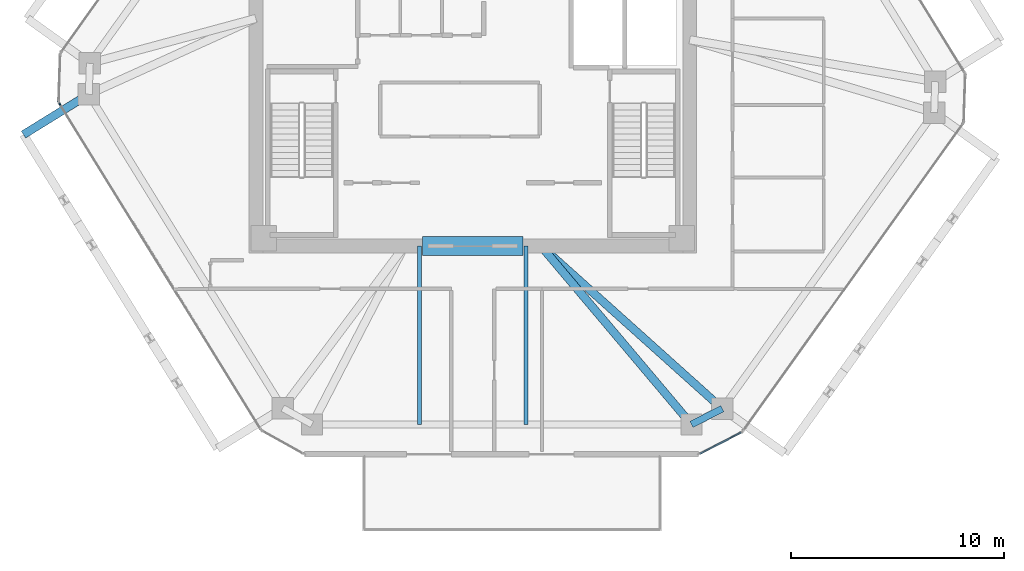
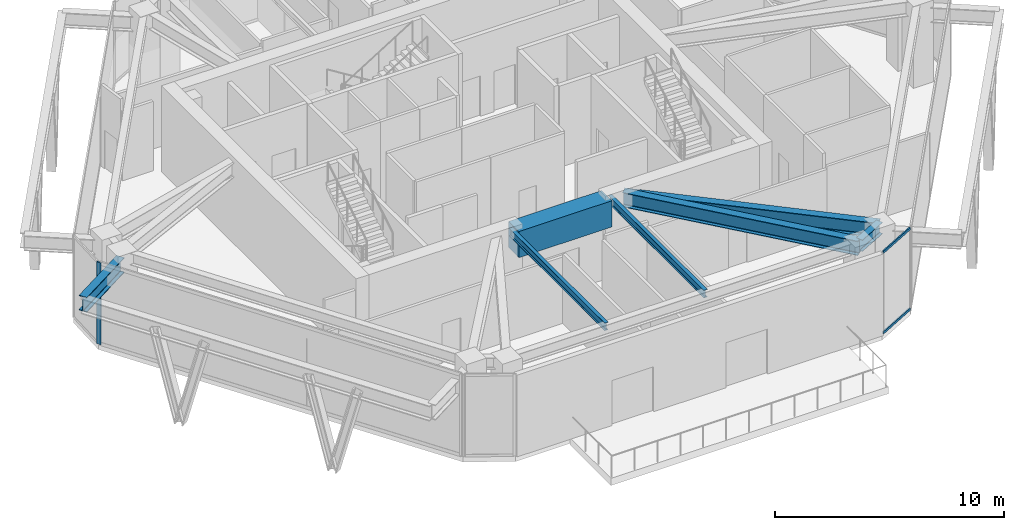
# One storey, part 3 of 12: 7 beams, 3 members, 2 elements without a shape of their own.
"""IFC4 building model written with IfcOpenShell, lengths in metres."""

from ifc_helpers import new_model, si_unit, direction, frame, origin, origin_2d, place, context, subcontext, project, spatial, rectangle, i_section, extrude, source, transform, mapped, material, layer, layer_set, material_profile, profile_set, type_object, type_shapes, element, aggregate, save


model = new_model("IFC4")

# Units and contexts
model_context = context("Model", 3, precision=1e-05, world=origin(), true_north=direction((0.0, 1.0)))
body_context = subcontext(model_context, "Body", "Model", "MODEL_VIEW")
ifc_project = project(units=[si_unit("LENGTHUNIT", "METRE"), si_unit("AREAUNIT", "SQUARE_METRE"), si_unit("VOLUMEUNIT", "CUBIC_METRE"), si_unit("PLANEANGLEUNIT", "RADIAN"), si_unit("MASSUNIT", "GRAM", prefix="KILO")], contexts=[model_context])

# Site, building, storey
site_placement = place(None, origin())
site = spatial("IfcSite", under=ifc_project, at=site_placement, CompositionType="ELEMENT")
building_placement = place(site_placement, origin())
building = spatial("IfcBuilding", under=site, at=building_placement, Name="Durnholm Broadcast Tower", CompositionType="ELEMENT")
storey_placement = place(building_placement, frame((0.0, 0.0, 162.60009765625)))
storey = spatial("IfcBuildingStorey", under=building, at=storey_placement, Name="L44", CompositionType="ELEMENT", Elevation=162.60009765625)

# Beams
ifc_material_1 = material(Name="Concrete C70/85", Category="concrete")
ifc_material_profile_1 = material_profile(ifc_material_1, rectangle(XDim=0.89990234375, YDim=1.39990234375, at=origin_2d()), Name="RC900X1400")
ifc_profile_set_1 = profile_set([ifc_material_profile_1], Name="Concrete C70/85")
beam_type_1 = type_object("IfcBeamType", Name="BM-CB-RC1400", PredefinedType="LINTEL", material=ifc_profile_set_1)
shared_shape_1 = source(origin(), body_context, "Body", "SweptSolid", [
    extrude(rectangle(XDim=0.89990234375, YDim=1.39990234375, at=origin_2d()), origin(), (0.0, 0.0, 1.0), 4.7001953125),
])
type_shapes(beam_type_1, [shared_shape_1])
beam_1_placement = place(storey_placement, frame((-2.35009765625, -8.175048828125, 3.65478515625), z_axis=(1.0, 0.0, 0.0), x_axis=(0.0, 1.0, 0.0)))
element("IfcBeam", 1, at=beam_1_placement, inside=storey, type_object=beam_type_1, Name="L44 south core coupling lintel beam CB-S", PredefinedType="LINTEL", context=body_context, shape_type="MappedRepresentation", body=[
    mapped(shared_shape_1, transform((0.0, 0.0, 0.0), x_axis=(1.0, 0.0, 0.0), y_axis=(0.0, 1.0, 0.0), z_axis=(0.0, 0.0, 1.0), scale=1.0)),
])
ifc_material_2 = material(Name="Steel ASTM A992 Grade 50", Category="steel")
ifc_material_profile_2 = material_profile(ifc_material_2, i_section(OverallWidth=0.385009765625, OverallDepth=0.802978515625, WebThickness=0.023681640625, FlangeThickness=0.0419921875, FilletRadius=0.032958984375, at=origin_2d()), Name="W30X261")
ifc_profile_set_2 = profile_set([ifc_material_profile_2], Name="Steel ASTM A992 Grade 50")
beam_type_2 = type_object("IfcBeamType", Name="BM-EXO-TIE", PredefinedType="USERDEFINED", material=ifc_profile_set_2)
shared_shape_2 = source(origin(), body_context, "Body", "SweptSolid", [
    extrude(i_section(OverallWidth=0.385009765625, OverallDepth=0.802978515625, WebThickness=0.023681640625, FlangeThickness=0.0419921875, FilletRadius=0.032958984375, at=origin_2d()), origin(), (0.0, 0.0, 1.0), 3.4560546875),
])
type_shapes(beam_type_2, [shared_shape_2])
beam_2_placement = place(storey_placement, frame((-18.131591796875, -1.13232421875, 3.6083984375), z_axis=(-0.850662348375, -0.525712439512, 0.0), x_axis=(0.525712439512, -0.850662348375, 0.0)))
element("IfcBeam", 2, at=beam_2_placement, inside=storey, type_object=beam_type_2, Name="L44 exoskeleton stand-off tie bracket F6.1", ObjectType="GIRDER", PredefinedType="USERDEFINED", context=body_context, shape_type="MappedRepresentation", body=[
    mapped(shared_shape_2, transform((0.0, 0.0, 0.0), x_axis=(1.0, 0.0, 0.0), y_axis=(0.0, 1.0, 0.0), z_axis=(0.0, 0.0, 1.0), scale=1.0)),
])
ifc_material_profile_3 = material_profile(ifc_material_2, i_section(OverallWidth=0.3251953125, OverallDepth=0.6162109375, WebThickness=0.013916015625, FlangeThickness=0.021484375, FilletRadius=0.02783203125, at=origin_2d()), Name="W24X117")
ifc_profile_set_3 = profile_set([ifc_material_profile_3], Name="Steel ASTM A992 Grade 50")
beam_type_3 = type_object("IfcBeamType", Name="STL-SP-W24X117", PredefinedType="SPANDREL", material=ifc_profile_set_3)
shared_shape_3 = source(origin(), body_context, "Body", "SweptSolid", [
    extrude(i_section(OverallWidth=0.3251953125, OverallDepth=0.6162109375, WebThickness=0.013916015625, FlangeThickness=0.021484375, FilletRadius=0.02783203125, at=origin_2d()), origin(), (0.0, 0.0, 1.0), 1.62255859375),
])
type_shapes(beam_type_3, [shared_shape_3])
beam_3_placement = place(storey_placement, frame((11.69970703125, -15.80029296875, 4.036865234375), z_axis=(-0.889406668864, -0.45711680934, 0.0), x_axis=(0.45711680934, -0.889406668864, 0.0)))
element("IfcBeam", 3, at=beam_3_placement, inside=storey, type_object=beam_type_3, Name="L44 perimeter spandrel girder 10", PredefinedType="SPANDREL", context=body_context, shape_type="MappedRepresentation", body=[
    mapped(shared_shape_3, transform((0.0, 0.0, 0.0), x_axis=(1.0, 0.0, 0.0), y_axis=(0.0, 1.0, 0.0), z_axis=(0.0, 0.0, 1.0), scale=1.0)),
])
ifc_material_profile_4 = material_profile(ifc_material_2, i_section(OverallWidth=0.380615234375, OverallDepth=0.773193359375, WebThickness=0.0166015625, FlangeThickness=0.027099609375, FilletRadius=0.032958984375, at=origin_2d()), Name="W30X173")
ifc_profile_set_4 = profile_set([ifc_material_profile_4], Name="Steel ASTM A992 Grade 50")
beam_type_4 = type_object("IfcBeamType", Name="STL-GR-W30X173", PredefinedType="USERDEFINED", material=ifc_profile_set_4)
shared_shape_4 = source(origin(), body_context, "Body", "SweptSolid", [
    extrude(i_section(OverallWidth=0.380615234375, OverallDepth=0.773193359375, WebThickness=0.0166015625, FlangeThickness=0.027099609375, FilletRadius=0.032958984375, at=origin_2d()), origin(), (0.0, 0.0, 1.0), 11.4189453125),
])
beam_4_placement = place(storey_placement, frame((3.199951171875, -8.175048828125, 3.958251953125), z_axis=(0.744361631918, -0.667776729849, 0.0), x_axis=(0.667776729849, 0.744361631918, 0.0)))
element("IfcBeam", 4, at=beam_4_placement, inside=storey, type_object=beam_type_4, Name="L44 radial primary floor girder 10", ObjectType="GIRDER", PredefinedType="USERDEFINED", context=body_context, shape_type="MappedRepresentation", body=[
    mapped(shared_shape_4, transform((0.0, 0.0, 0.0), x_axis=(1.0, 0.0, 0.0), y_axis=(0.0, 1.0, 0.0), z_axis=(0.0, 0.0, 1.0), scale=1.0)),
])
shared_shape_5 = source(origin(), body_context, "Body", "SweptSolid", [
    extrude(i_section(OverallWidth=0.380615234375, OverallDepth=0.773193359375, WebThickness=0.0166015625, FlangeThickness=0.027099609375, FilletRadius=0.032958984375, at=origin_2d()), origin(), (0.0, 0.0, 1.0), 10.9453125),
])
type_shapes(beam_type_4, [shared_shape_4, shared_shape_5])
beam_5_placement = place(storey_placement, frame((3.199951171875, -8.175048828125, 3.958251953125), z_axis=(0.644712536066, -0.764425108065, 0.0), x_axis=(0.764425108065, 0.644712536066, 0.0)))
element("IfcBeam", 5, at=beam_5_placement, inside=storey, type_object=beam_type_4, Name="L44 radial primary floor girder 11", ObjectType="GIRDER", PredefinedType="USERDEFINED", context=body_context, shape_type="MappedRepresentation", body=[
    mapped(shared_shape_5, transform((0.0, 0.0, 0.0), x_axis=(1.0, 0.0, 0.0), y_axis=(0.0, 1.0, 0.0), z_axis=(0.0, 0.0, 1.0), scale=1.0)),
])
ifc_material_profile_5 = material_profile(ifc_material_2, i_section(OverallWidth=0.177734375, OverallDepth=0.40673828125, WebThickness=0.0078125, FlangeThickness=0.0126953125, FilletRadius=0.01904296875, at=origin_2d()), Name="W16X40")
ifc_profile_set_5 = profile_set([ifc_material_profile_5], Name="Steel ASTM A992 Grade 50")
beam_type_5 = type_object("IfcBeamType", Name="STL-BJ-W16X40", PredefinedType="JOIST", material=ifc_profile_set_5)
shared_shape_6 = source(origin(), body_context, "Body", "SweptSolid", [
    extrude(i_section(OverallWidth=0.177734375, OverallDepth=0.40673828125, WebThickness=0.0078125, FlangeThickness=0.0126953125, FilletRadius=0.01904296875, at=origin_2d()), origin(), (0.0, 0.0, 1.0), 8.366943359375),
])
type_shapes(beam_type_5, [shared_shape_6])
for number, where, z_axis, x_axis, name in (
    (6, (-2.5, -16.5419921875, 4.1416015625), (0.0, 1.0, 0.0), (-1.0, 0.0, 0.0), "L44 secondary floor joist 5.1"),
    (7, (2.5, -16.5419921875, 4.1416015625), (0.0, 1.0, 0.0), (-1.0, 0.0, 0.0), "L44 secondary floor joist 6.1"),
):
    element("IfcBeam", number, at=place(storey_placement, frame(where, z_axis=z_axis, x_axis=x_axis)), inside=storey, type_object=beam_type_5, Name=name, PredefinedType="JOIST", context=body_context, shape_type="MappedRepresentation", body=[
        mapped(shared_shape_6, transform((0.0, 0.0, 0.0), x_axis=(1.0, 0.0, 0.0), y_axis=(0.0, 1.0, 0.0), z_axis=(0.0, 0.0, 1.0), scale=1.0)),
    ])

# Curtain wall, members
ifc_material_3 = material(Name="Aluminium and Solar Control IGU", Category="aluminium")
ifc_layer_1 = layer(ifc_material_3, 0.1650390625)
ifc_layer_set_1 = layer_set([ifc_layer_1], Name="Aluminium and Solar Control IGU")
curtain_wall_type_1 = type_object("IfcCurtainWallType", Name="CW-SYS-5", PredefinedType="NOTDEFINED", material=ifc_layer_set_1)
curtain_wall_1_placement = place(storey_placement, origin())
curtain_wall_1 = element("IfcCurtainWall", 8, at=curtain_wall_1_placement, inside=storey, type_object=curtain_wall_type_1, Name="L44 curtain wall CW-CORNER CW-L44-CRN-09", PredefinedType="NOTDEFINED")
ifc_material_4 = material(Name="Aluminium 6063-T6", Category="aluminium")
ifc_material_profile_6 = material_profile(ifc_material_4, rectangle(XDim=0.06494140625, YDim=0.1298828125, at=origin_2d()), Name="CWT65X130")
ifc_profile_set_6 = profile_set([ifc_material_profile_6], Name="Aluminium 6063-T6")
member_type_1 = type_object("IfcMemberType", Name="CW-SYS-5-TRN", PredefinedType="USERDEFINED", material=ifc_profile_set_6)
shared_shape_7 = source(origin(), body_context, "Body", "SweptSolid", [
    extrude(rectangle(XDim=0.06494140625, YDim=0.1298828125, at=origin_2d()), origin(), (0.0, 0.0, 1.0), 2.170166015625),
])
type_shapes(member_type_1, [shared_shape_7])
member_1_placement = place(storey_placement, frame((12.583251953125, -16.92041015625, 0.032470703125), z_axis=(-0.889422414772, -0.457086171417, 0.0), x_axis=(0.457086171417, -0.889422414772, 0.0)))
member_1 = element("IfcMember", 9, at=member_1_placement, type_object=member_type_1, Name="CW-CORNER transom 1.1", ObjectType="TRANSOM", PredefinedType="USERDEFINED", context=body_context, shape_type="MappedRepresentation", body=[
    mapped(shared_shape_7, transform((0.0, 0.0, 0.0), x_axis=(1.0, 0.0, 0.0), y_axis=(0.0, 1.0, 0.0), z_axis=(0.0, 0.0, 1.0), scale=1.0)),
])
member_2_placement = place(storey_placement, frame((12.583251953125, -16.92041015625, 4.327392578125), z_axis=(-0.889422414772, -0.457086171417, 0.0), x_axis=(0.457086171417, -0.889422414772, 0.0)))
member_2 = element("IfcMember", 10, at=member_2_placement, type_object=member_type_1, Name="CW-CORNER transom 1.2", ObjectType="TRANSOM", PredefinedType="USERDEFINED", context=body_context, shape_type="MappedRepresentation", body=[
    mapped(shared_shape_7, transform((0.0, 0.0, 0.0), x_axis=(1.0, 0.0, 0.0), y_axis=(0.0, 1.0, 0.0), z_axis=(0.0, 0.0, 1.0), scale=1.0)),
])
aggregate(curtain_wall_1, [member_1, member_2])

# Curtain wall, member
ifc_layer_2 = layer(ifc_material_3, 0.219970703125)
ifc_layer_set_2 = layer_set([ifc_layer_2], Name="Aluminium and Solar Control IGU")
curtain_wall_type_2 = type_object("IfcCurtainWallType", Name="CW-SYS-6", PredefinedType="NOTDEFINED", material=ifc_layer_set_2)
curtain_wall_2_placement = place(storey_placement, origin())
curtain_wall_2 = element("IfcCurtainWall", 11, at=curtain_wall_2_placement, inside=storey, type_object=curtain_wall_type_2, Name="L44 curtain wall CW-AMENITY CW-L44-F12", PredefinedType="NOTDEFINED")
ifc_material_profile_7 = material_profile(ifc_material_4, rectangle(XDim=0.074951171875, YDim=0.219970703125, at=origin_2d()), Name="CWM75X220")
ifc_profile_set_7 = profile_set([ifc_material_profile_7], Name="Aluminium 6063-T6")
member_type_2 = type_object("IfcMemberType", Name="CW-SYS-6-MUL", PredefinedType="MULLION", material=ifc_profile_set_7)
shared_shape_8 = source(origin(), body_context, "Body", "SweptSolid", [
    extrude(rectangle(XDim=0.074951171875, YDim=0.219970703125, at=origin_2d()), origin(), (0.0, 0.0, 1.0), 4.35986328125),
])
type_shapes(member_type_2, [shared_shape_8])
member_3_placement = place(storey_placement, frame((-19.403076171875, -1.46435546875, 0.0), z_axis=(0.0, 0.0, 1.0), x_axis=(-0.850671426092, -0.525697750452, 0.0)))
member_3 = element("IfcMember", 12, at=member_3_placement, type_object=member_type_2, Name="CW-AMENITY mullion 2", PredefinedType="MULLION", context=body_context, shape_type="MappedRepresentation", body=[
    mapped(shared_shape_8, transform((0.0, 0.0, 0.0), x_axis=(1.0, 0.0, 0.0), y_axis=(0.0, 1.0, 0.0), z_axis=(0.0, 0.0, 1.0), scale=1.0)),
])
aggregate(curtain_wall_2, [member_3])

save(model, "model.ifc")
